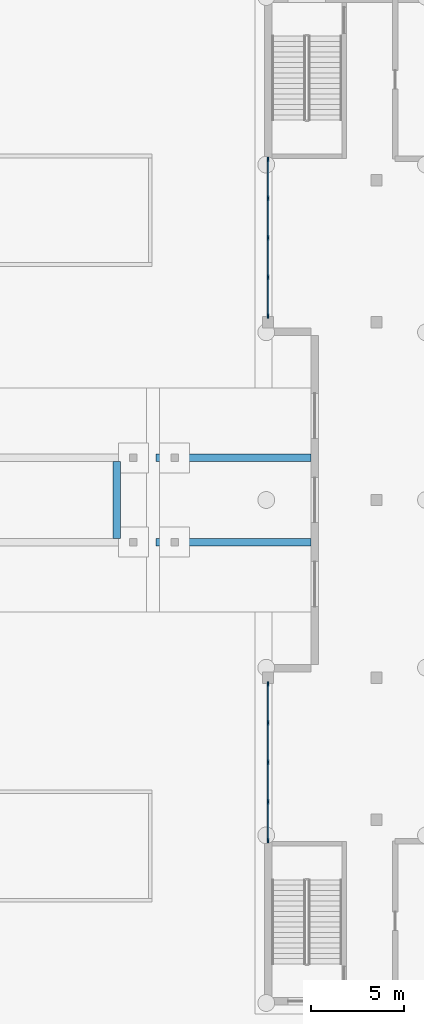
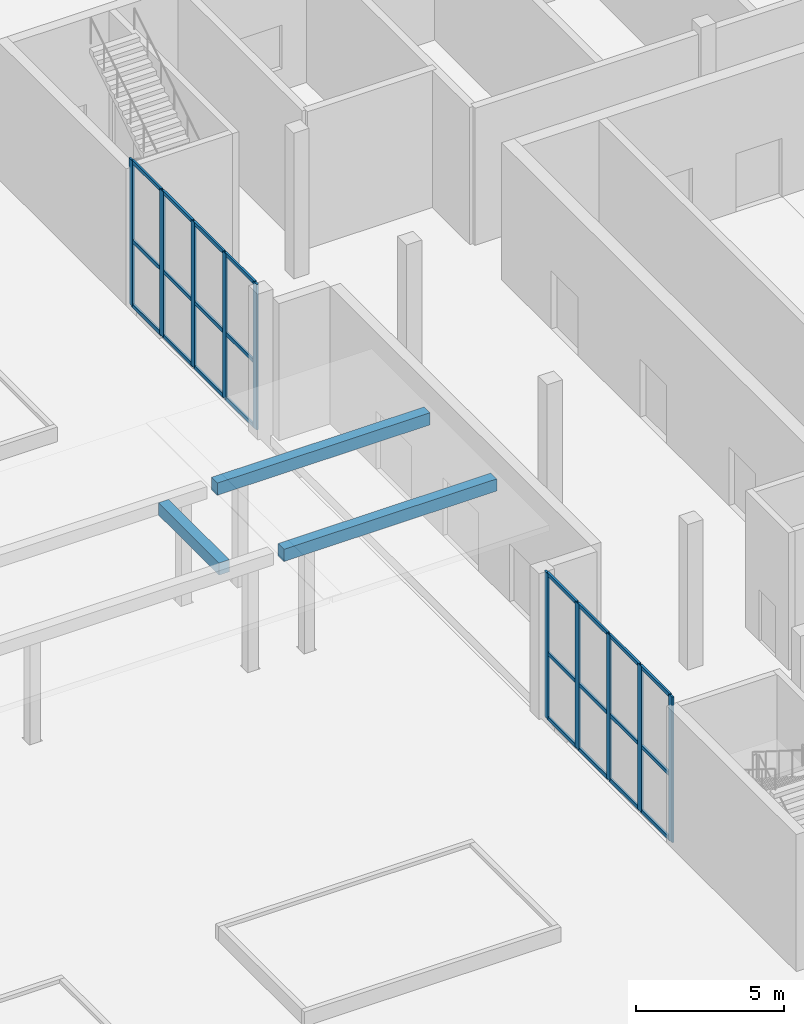
# One storey, part 7 of 47: 34 members, 3 beams, 2 elements without a shape of their own.
"""IFC4 building model written with IfcOpenShell, lengths in metres."""

from ifc_helpers import new_model, si_unit, direction, frame, origin, origin_2d, place, context, subcontext, project, spatial, rectangle, extrude, material, material_profile, profile_set, type_object, element, aggregate, save


model = new_model("IFC4")

# Units and contexts
model_context = context("Model", 3, precision=1e-05, world=origin(), true_north=direction((0.0, 1.0)))
body_context = subcontext(model_context, "Body", "Model", "MODEL_VIEW")
ifc_project = project(units=[si_unit("LENGTHUNIT", "METRE"), si_unit("AREAUNIT", "SQUARE_METRE"), si_unit("VOLUMEUNIT", "CUBIC_METRE"), si_unit("PLANEANGLEUNIT", "RADIAN"), si_unit("MASSUNIT", "GRAM", prefix="KILO")], contexts=[model_context])

# Site, building, storey
site_placement = place(None, origin())
site = spatial("IfcSite", under=ifc_project, at=site_placement, CompositionType="ELEMENT")
building_placement = place(site_placement, origin())
building = spatial("IfcBuilding", under=site, at=building_placement, Name="Hunhe Ridgeline Campus", CompositionType="ELEMENT")
storey_placement = place(building_placement, origin())
storey = spatial("IfcBuildingStorey", under=building, at=storey_placement, Name="L00", CompositionType="ELEMENT", Elevation=0.0)

# Curtain wall, members
ifc_material_1 = material(Name="Aluminium and glass", Category="aluminium")
curtain_wall_type = type_object("IfcCurtainWallType", Name="Hall foyer curtain wall CW-H", PredefinedType="NOTDEFINED", material=ifc_material_1)
curtain_wall_1_placement = place(storey_placement, origin())
curtain_wall_1 = element("IfcCurtainWall", 1, at=curtain_wall_1_placement, inside=storey, type_object=curtain_wall_type, Name="L00 foyer curtain wall 1", PredefinedType="NOTDEFINED")
ifc_material_2 = material(Name="Aluminium", Category="aluminium")
ifc_material_profile_1 = material_profile(ifc_material_2, rectangle(XDim=0.080078125, YDim=0.25, at=origin_2d()))
ifc_profile_set_1 = profile_set([ifc_material_profile_1], Name="Aluminium")
member_type_1 = type_object("IfcMemberType", Name="CW-H mullion 80x250", PredefinedType="MULLION", material=ifc_profile_set_1)
member_1_placement = place(storey_placement, frame((150.199951171875, 31.2900390625, 0.0), z_axis=(0.0, 0.0, 1.0), x_axis=(-1.0, 0.0, 0.0)))
member_1 = element("IfcMember", 2, at=member_1_placement, type_object=member_type_1, Name="HCW1 mullion 1", PredefinedType="MULLION", context=body_context, shape_type="SweptSolid", body=[
    extrude(rectangle(XDim=0.080078125, YDim=0.25, at=origin_2d()), origin(), (0.0, 0.0, 1.0), 6.0),
])
member_2_placement = place(storey_placement, frame((150.199951171875, 33.362548828125, 0.0), z_axis=(0.0, 0.0, 1.0), x_axis=(-1.0, 0.0, 0.0)))
member_2 = element("IfcMember", 3, at=member_2_placement, type_object=member_type_1, Name="HCW1 mullion 2", PredefinedType="MULLION", context=body_context, shape_type="SweptSolid", body=[
    extrude(rectangle(XDim=0.080078125, YDim=0.25, at=origin_2d()), origin(), (0.0, 0.0, 1.0), 6.0),
])
member_3_placement = place(storey_placement, frame((150.199951171875, 35.47509765625, 0.0), z_axis=(0.0, 0.0, 1.0), x_axis=(-1.0, 0.0, 0.0)))
member_3 = element("IfcMember", 4, at=member_3_placement, type_object=member_type_1, Name="HCW1 mullion 3", PredefinedType="MULLION", context=body_context, shape_type="SweptSolid", body=[
    extrude(rectangle(XDim=0.080078125, YDim=0.25, at=origin_2d()), origin(), (0.0, 0.0, 1.0), 6.0),
])
member_4_placement = place(storey_placement, frame((150.199951171875, 37.58740234375, 0.0), z_axis=(0.0, 0.0, 1.0), x_axis=(-1.0, 0.0, 0.0)))
member_4 = element("IfcMember", 5, at=member_4_placement, type_object=member_type_1, Name="HCW1 mullion 4", PredefinedType="MULLION", context=body_context, shape_type="SweptSolid", body=[
    extrude(rectangle(XDim=0.080078125, YDim=0.25, at=origin_2d()), origin(), (0.0, 0.0, 1.0), 6.0),
])
member_5_placement = place(storey_placement, frame((150.199951171875, 39.659912109375, 0.0), z_axis=(0.0, 0.0, 1.0), x_axis=(-1.0, 0.0, 0.0)))
member_5 = element("IfcMember", 6, at=member_5_placement, type_object=member_type_1, Name="HCW1 mullion 5", PredefinedType="MULLION", context=body_context, shape_type="SweptSolid", body=[
    extrude(rectangle(XDim=0.080078125, YDim=0.25, at=origin_2d()), origin(), (0.0, 0.0, 1.0), 6.0),
])

curtain_wall_2_placement = place(storey_placement, origin())
curtain_wall_2 = element("IfcCurtainWall", 7, at=curtain_wall_2_placement, inside=storey, type_object=curtain_wall_type, Name="L00 foyer curtain wall 2", PredefinedType="NOTDEFINED")
member_6_placement = place(storey_placement, frame((150.199951171875, 59.340087890625, 0.0), z_axis=(0.0, 0.0, 1.0), x_axis=(-1.0, 0.0, 0.0)))
member_6 = element("IfcMember", 8, at=member_6_placement, type_object=member_type_1, Name="HCW1 mullion 1", PredefinedType="MULLION", context=body_context, shape_type="SweptSolid", body=[
    extrude(rectangle(XDim=0.080078125, YDim=0.25, at=origin_2d()), origin(), (0.0, 0.0, 1.0), 6.0),
])
member_7_placement = place(storey_placement, frame((150.199951171875, 61.41259765625, 0.0), z_axis=(0.0, 0.0, 1.0), x_axis=(-1.0, 0.0, 0.0)))
member_7 = element("IfcMember", 9, at=member_7_placement, type_object=member_type_1, Name="HCW1 mullion 2", PredefinedType="MULLION", context=body_context, shape_type="SweptSolid", body=[
    extrude(rectangle(XDim=0.080078125, YDim=0.25, at=origin_2d()), origin(), (0.0, 0.0, 1.0), 6.0),
])
member_8_placement = place(storey_placement, frame((150.199951171875, 63.52490234375, 0.0), z_axis=(0.0, 0.0, 1.0), x_axis=(-1.0, 0.0, 0.0)))
member_8 = element("IfcMember", 10, at=member_8_placement, type_object=member_type_1, Name="HCW1 mullion 3", PredefinedType="MULLION", context=body_context, shape_type="SweptSolid", body=[
    extrude(rectangle(XDim=0.080078125, YDim=0.25, at=origin_2d()), origin(), (0.0, 0.0, 1.0), 6.0),
])
member_9_placement = place(storey_placement, frame((150.199951171875, 65.637451171875, 0.0), z_axis=(0.0, 0.0, 1.0), x_axis=(-1.0, 0.0, 0.0)))
member_9 = element("IfcMember", 11, at=member_9_placement, type_object=member_type_1, Name="HCW1 mullion 4", PredefinedType="MULLION", context=body_context, shape_type="SweptSolid", body=[
    extrude(rectangle(XDim=0.080078125, YDim=0.25, at=origin_2d()), origin(), (0.0, 0.0, 1.0), 6.0),
])
member_10_placement = place(storey_placement, frame((150.199951171875, 67.7099609375, 0.0), z_axis=(0.0, 0.0, 1.0), x_axis=(-1.0, 0.0, 0.0)))
member_10 = element("IfcMember", 12, at=member_10_placement, type_object=member_type_1, Name="HCW1 mullion 5", PredefinedType="MULLION", context=body_context, shape_type="SweptSolid", body=[
    extrude(rectangle(XDim=0.080078125, YDim=0.25, at=origin_2d()), origin(), (0.0, 0.0, 1.0), 6.0),
])

# Member
ifc_material_profile_2 = material_profile(ifc_material_2, rectangle(XDim=0.080078125, YDim=0.14990234375, at=origin_2d()))
ifc_profile_set_2 = profile_set([ifc_material_profile_2], Name="Aluminium")
member_type_2 = type_object("IfcMemberType", Name="CW-H transom 80x150", PredefinedType="USERDEFINED", material=ifc_profile_set_2)
member_11_placement = place(storey_placement, frame((150.199951171875, 31.330078125, 0.0400390625), z_axis=(0.0, 1.0, 0.0), x_axis=(-1.0, 0.0, 0.0)))
member_11 = element("IfcMember", 13, at=member_11_placement, type_object=member_type_2, Name="HCW1 transom 1.1", ObjectType="TRANSOM", PredefinedType="USERDEFINED", context=body_context, shape_type="SweptSolid", body=[
    extrude(rectangle(XDim=0.080078125, YDim=0.14990234375, at=origin_2d()), origin(), (0.0, 0.0, 1.0), 1.992431640625),
])

member_12_placement = place(storey_placement, frame((150.199951171875, 31.330078125, 2.699951171875), z_axis=(0.0, 1.0, 0.0), x_axis=(-1.0, 0.0, 0.0)))
member_12 = element("IfcMember", 14, at=member_12_placement, type_object=member_type_2, Name="HCW1 transom 1.2", ObjectType="TRANSOM", PredefinedType="USERDEFINED", context=body_context, shape_type="SweptSolid", body=[
    extrude(rectangle(XDim=0.080078125, YDim=0.14990234375, at=origin_2d()), origin(), (0.0, 0.0, 1.0), 1.992431640625),
])

member_13_placement = place(storey_placement, frame((150.199951171875, 31.330078125, 5.9599609375), z_axis=(0.0, 1.0, 0.0), x_axis=(-1.0, 0.0, 0.0)))
member_13 = element("IfcMember", 15, at=member_13_placement, type_object=member_type_2, Name="HCW1 transom 1.3", ObjectType="TRANSOM", PredefinedType="USERDEFINED", context=body_context, shape_type="SweptSolid", body=[
    extrude(rectangle(XDim=0.080078125, YDim=0.14990234375, at=origin_2d()), origin(), (0.0, 0.0, 1.0), 1.992431640625),
])

member_14_placement = place(storey_placement, frame((150.199951171875, 33.402587890625, 0.0400390625), z_axis=(0.0, 1.0, 0.0), x_axis=(-1.0, 0.0, 0.0)))
member_14 = element("IfcMember", 16, at=member_14_placement, type_object=member_type_2, Name="HCW1 transom 2.1", ObjectType="TRANSOM", PredefinedType="USERDEFINED", context=body_context, shape_type="SweptSolid", body=[
    extrude(rectangle(XDim=0.080078125, YDim=0.14990234375, at=origin_2d()), origin(), (0.0, 0.0, 1.0), 2.032470703125),
])

member_15_placement = place(storey_placement, frame((150.199951171875, 33.402587890625, 2.699951171875), z_axis=(0.0, 1.0, 0.0), x_axis=(-1.0, 0.0, 0.0)))
member_15 = element("IfcMember", 17, at=member_15_placement, type_object=member_type_2, Name="HCW1 transom 2.2", ObjectType="TRANSOM", PredefinedType="USERDEFINED", context=body_context, shape_type="SweptSolid", body=[
    extrude(rectangle(XDim=0.080078125, YDim=0.14990234375, at=origin_2d()), origin(), (0.0, 0.0, 1.0), 2.032470703125),
])

member_16_placement = place(storey_placement, frame((150.199951171875, 33.402587890625, 5.9599609375), z_axis=(0.0, 1.0, 0.0), x_axis=(-1.0, 0.0, 0.0)))
member_16 = element("IfcMember", 18, at=member_16_placement, type_object=member_type_2, Name="HCW1 transom 2.3", ObjectType="TRANSOM", PredefinedType="USERDEFINED", context=body_context, shape_type="SweptSolid", body=[
    extrude(rectangle(XDim=0.080078125, YDim=0.14990234375, at=origin_2d()), origin(), (0.0, 0.0, 1.0), 2.032470703125),
])

member_17_placement = place(storey_placement, frame((150.199951171875, 35.514892578125, 0.0400390625), z_axis=(0.0, 1.0, 0.0), x_axis=(-1.0, 0.0, 0.0)))
member_17 = element("IfcMember", 19, at=member_17_placement, type_object=member_type_2, Name="HCW1 transom 3.1", ObjectType="TRANSOM", PredefinedType="USERDEFINED", context=body_context, shape_type="SweptSolid", body=[
    extrude(rectangle(XDim=0.080078125, YDim=0.14990234375, at=origin_2d()), origin(), (0.0, 0.0, 1.0), 2.03271484375),
])

member_18_placement = place(storey_placement, frame((150.199951171875, 35.514892578125, 2.699951171875), z_axis=(0.0, 1.0, 0.0), x_axis=(-1.0, 0.0, 0.0)))
member_18 = element("IfcMember", 20, at=member_18_placement, type_object=member_type_2, Name="HCW1 transom 3.2", ObjectType="TRANSOM", PredefinedType="USERDEFINED", context=body_context, shape_type="SweptSolid", body=[
    extrude(rectangle(XDim=0.080078125, YDim=0.14990234375, at=origin_2d()), origin(), (0.0, 0.0, 1.0), 2.03271484375),
])

member_19_placement = place(storey_placement, frame((150.199951171875, 35.514892578125, 5.9599609375), z_axis=(0.0, 1.0, 0.0), x_axis=(-1.0, 0.0, 0.0)))
member_19 = element("IfcMember", 21, at=member_19_placement, type_object=member_type_2, Name="HCW1 transom 3.3", ObjectType="TRANSOM", PredefinedType="USERDEFINED", context=body_context, shape_type="SweptSolid", body=[
    extrude(rectangle(XDim=0.080078125, YDim=0.14990234375, at=origin_2d()), origin(), (0.0, 0.0, 1.0), 2.03271484375),
])

member_20_placement = place(storey_placement, frame((150.199951171875, 37.62744140625, 0.0400390625), z_axis=(0.0, 1.0, 0.0), x_axis=(-1.0, 0.0, 0.0)))
member_20 = element("IfcMember", 22, at=member_20_placement, type_object=member_type_2, Name="HCW1 transom 4.1", ObjectType="TRANSOM", PredefinedType="USERDEFINED", context=body_context, shape_type="SweptSolid", body=[
    extrude(rectangle(XDim=0.080078125, YDim=0.14990234375, at=origin_2d()), origin(), (0.0, 0.0, 1.0), 1.99267578125),
])

member_21_placement = place(storey_placement, frame((150.199951171875, 37.62744140625, 2.699951171875), z_axis=(0.0, 1.0, 0.0), x_axis=(-1.0, 0.0, 0.0)))
member_21 = element("IfcMember", 23, at=member_21_placement, type_object=member_type_2, Name="HCW1 transom 4.2", ObjectType="TRANSOM", PredefinedType="USERDEFINED", context=body_context, shape_type="SweptSolid", body=[
    extrude(rectangle(XDim=0.080078125, YDim=0.14990234375, at=origin_2d()), origin(), (0.0, 0.0, 1.0), 1.99267578125),
])

member_22_placement = place(storey_placement, frame((150.199951171875, 37.62744140625, 5.9599609375), z_axis=(0.0, 1.0, 0.0), x_axis=(-1.0, 0.0, 0.0)))
member_22 = element("IfcMember", 24, at=member_22_placement, type_object=member_type_2, Name="HCW1 transom 4.3", ObjectType="TRANSOM", PredefinedType="USERDEFINED", context=body_context, shape_type="SweptSolid", body=[
    extrude(rectangle(XDim=0.080078125, YDim=0.14990234375, at=origin_2d()), origin(), (0.0, 0.0, 1.0), 1.99267578125),
])

aggregate(curtain_wall_1, [member_1, member_2, member_3, member_4, member_5, member_11, member_12, member_13, member_14, member_15, member_16, member_17, member_18, member_19, member_20, member_21, member_22])

member_23_placement = place(storey_placement, frame((150.199951171875, 59.3798828125, 0.0400390625), z_axis=(0.0, 1.0, 0.0), x_axis=(-1.0, 0.0, 0.0)))
member_23 = element("IfcMember", 25, at=member_23_placement, type_object=member_type_2, Name="HCW1 transom 1.1", ObjectType="TRANSOM", PredefinedType="USERDEFINED", context=body_context, shape_type="SweptSolid", body=[
    extrude(rectangle(XDim=0.080078125, YDim=0.14990234375, at=origin_2d()), origin(), (0.0, 0.0, 1.0), 1.99267578125),
])

member_24_placement = place(storey_placement, frame((150.199951171875, 59.3798828125, 2.699951171875), z_axis=(0.0, 1.0, 0.0), x_axis=(-1.0, 0.0, 0.0)))
member_24 = element("IfcMember", 26, at=member_24_placement, type_object=member_type_2, Name="HCW1 transom 1.2", ObjectType="TRANSOM", PredefinedType="USERDEFINED", context=body_context, shape_type="SweptSolid", body=[
    extrude(rectangle(XDim=0.080078125, YDim=0.14990234375, at=origin_2d()), origin(), (0.0, 0.0, 1.0), 1.99267578125),
])

member_25_placement = place(storey_placement, frame((150.199951171875, 59.3798828125, 5.9599609375), z_axis=(0.0, 1.0, 0.0), x_axis=(-1.0, 0.0, 0.0)))
member_25 = element("IfcMember", 27, at=member_25_placement, type_object=member_type_2, Name="HCW1 transom 1.3", ObjectType="TRANSOM", PredefinedType="USERDEFINED", context=body_context, shape_type="SweptSolid", body=[
    extrude(rectangle(XDim=0.080078125, YDim=0.14990234375, at=origin_2d()), origin(), (0.0, 0.0, 1.0), 1.99267578125),
])

member_26_placement = place(storey_placement, frame((150.199951171875, 61.452392578125, 0.0400390625), z_axis=(0.0, 1.0, 0.0), x_axis=(-1.0, 0.0, 0.0)))
member_26 = element("IfcMember", 28, at=member_26_placement, type_object=member_type_2, Name="HCW1 transom 2.1", ObjectType="TRANSOM", PredefinedType="USERDEFINED", context=body_context, shape_type="SweptSolid", body=[
    extrude(rectangle(XDim=0.080078125, YDim=0.14990234375, at=origin_2d()), origin(), (0.0, 0.0, 1.0), 2.03271484375),
])

member_27_placement = place(storey_placement, frame((150.199951171875, 61.452392578125, 2.699951171875), z_axis=(0.0, 1.0, 0.0), x_axis=(-1.0, 0.0, 0.0)))
member_27 = element("IfcMember", 29, at=member_27_placement, type_object=member_type_2, Name="HCW1 transom 2.2", ObjectType="TRANSOM", PredefinedType="USERDEFINED", context=body_context, shape_type="SweptSolid", body=[
    extrude(rectangle(XDim=0.080078125, YDim=0.14990234375, at=origin_2d()), origin(), (0.0, 0.0, 1.0), 2.03271484375),
])

member_28_placement = place(storey_placement, frame((150.199951171875, 61.452392578125, 5.9599609375), z_axis=(0.0, 1.0, 0.0), x_axis=(-1.0, 0.0, 0.0)))
member_28 = element("IfcMember", 30, at=member_28_placement, type_object=member_type_2, Name="HCW1 transom 2.3", ObjectType="TRANSOM", PredefinedType="USERDEFINED", context=body_context, shape_type="SweptSolid", body=[
    extrude(rectangle(XDim=0.080078125, YDim=0.14990234375, at=origin_2d()), origin(), (0.0, 0.0, 1.0), 2.03271484375),
])

member_29_placement = place(storey_placement, frame((150.199951171875, 63.56494140625, 0.0400390625), z_axis=(0.0, 1.0, 0.0), x_axis=(-1.0, 0.0, 0.0)))
member_29 = element("IfcMember", 31, at=member_29_placement, type_object=member_type_2, Name="HCW1 transom 3.1", ObjectType="TRANSOM", PredefinedType="USERDEFINED", context=body_context, shape_type="SweptSolid", body=[
    extrude(rectangle(XDim=0.080078125, YDim=0.14990234375, at=origin_2d()), origin(), (0.0, 0.0, 1.0), 2.032470703125),
])

member_30_placement = place(storey_placement, frame((150.199951171875, 63.56494140625, 2.699951171875), z_axis=(0.0, 1.0, 0.0), x_axis=(-1.0, 0.0, 0.0)))
member_30 = element("IfcMember", 32, at=member_30_placement, type_object=member_type_2, Name="HCW1 transom 3.2", ObjectType="TRANSOM", PredefinedType="USERDEFINED", context=body_context, shape_type="SweptSolid", body=[
    extrude(rectangle(XDim=0.080078125, YDim=0.14990234375, at=origin_2d()), origin(), (0.0, 0.0, 1.0), 2.032470703125),
])

member_31_placement = place(storey_placement, frame((150.199951171875, 63.56494140625, 5.9599609375), z_axis=(0.0, 1.0, 0.0), x_axis=(-1.0, 0.0, 0.0)))
member_31 = element("IfcMember", 33, at=member_31_placement, type_object=member_type_2, Name="HCW1 transom 3.3", ObjectType="TRANSOM", PredefinedType="USERDEFINED", context=body_context, shape_type="SweptSolid", body=[
    extrude(rectangle(XDim=0.080078125, YDim=0.14990234375, at=origin_2d()), origin(), (0.0, 0.0, 1.0), 2.032470703125),
])

member_32_placement = place(storey_placement, frame((150.199951171875, 65.677490234375, 0.0400390625), z_axis=(0.0, 1.0, 0.0), x_axis=(-1.0, 0.0, 0.0)))
member_32 = element("IfcMember", 34, at=member_32_placement, type_object=member_type_2, Name="HCW1 transom 4.1", ObjectType="TRANSOM", PredefinedType="USERDEFINED", context=body_context, shape_type="SweptSolid", body=[
    extrude(rectangle(XDim=0.080078125, YDim=0.14990234375, at=origin_2d()), origin(), (0.0, 0.0, 1.0), 1.992431640625),
])

member_33_placement = place(storey_placement, frame((150.199951171875, 65.677490234375, 2.699951171875), z_axis=(0.0, 1.0, 0.0), x_axis=(-1.0, 0.0, 0.0)))
member_33 = element("IfcMember", 35, at=member_33_placement, type_object=member_type_2, Name="HCW1 transom 4.2", ObjectType="TRANSOM", PredefinedType="USERDEFINED", context=body_context, shape_type="SweptSolid", body=[
    extrude(rectangle(XDim=0.080078125, YDim=0.14990234375, at=origin_2d()), origin(), (0.0, 0.0, 1.0), 1.992431640625),
])

member_34_placement = place(storey_placement, frame((150.199951171875, 65.677490234375, 5.9599609375), z_axis=(0.0, 1.0, 0.0), x_axis=(-1.0, 0.0, 0.0)))
member_34 = element("IfcMember", 36, at=member_34_placement, type_object=member_type_2, Name="HCW1 transom 4.3", ObjectType="TRANSOM", PredefinedType="USERDEFINED", context=body_context, shape_type="SweptSolid", body=[
    extrude(rectangle(XDim=0.080078125, YDim=0.14990234375, at=origin_2d()), origin(), (0.0, 0.0, 1.0), 1.992431640625),
])

aggregate(curtain_wall_2, [member_6, member_7, member_8, member_9, member_10, member_23, member_24, member_25, member_26, member_27, member_28, member_29, member_30, member_31, member_32, member_33, member_34])

# Beams
ifc_material_3 = material(Name="Concrete C40", Category="concrete")
ifc_material_profile_3 = material_profile(ifc_material_3, rectangle(XDim=0.39990234375, YDim=0.5, at=origin_2d()))
ifc_profile_set_3 = profile_set([ifc_material_profile_3], Name="Concrete C40")
beam_type = type_object("IfcBeamType", Name="Canopy RC edge beam 400x500 C40", PredefinedType="BEAM", material=ifc_profile_set_3)
for number, where, z_axis, x_axis, name in (
    (37, (144.199951171875, 47.25, 4.300048828125), (1.0, 0.0, 0.0), (0.0, 1.0, 0.0), "Porch beam 1"),
    (38, (144.199951171875, 51.75, 4.300048828125), (1.0, 0.0, 0.0), (0.0, 1.0, 0.0), "Porch beam 2"),
):
    element("IfcBeam", number, at=place(storey_placement, frame(where, z_axis=z_axis, x_axis=x_axis)), inside=storey, type_object=beam_type, Name=name, PredefinedType="BEAM", context=body_context, shape_type="SweptSolid", body=[
        extrude(rectangle(XDim=0.39990234375, YDim=0.5, at=origin_2d()), origin(), (0.0, 0.0, 1.0), 8.300048828125),
    ])
beam_placement = place(storey_placement, frame((142.10009765625, 47.449951171875, 4.300048828125), z_axis=(0.0, 1.0, 0.0), x_axis=(-1.0, 0.0, 0.0)))
element("IfcBeam", 39, at=beam_placement, inside=storey, type_object=beam_type, Name="Canopy end beam", PredefinedType="BEAM", context=body_context, shape_type="SweptSolid", body=[
    extrude(rectangle(XDim=0.39990234375, YDim=0.5, at=origin_2d()), origin(), (0.0, 0.0, 1.0), 4.10009765625),
])

save(model, "model.ifc")
